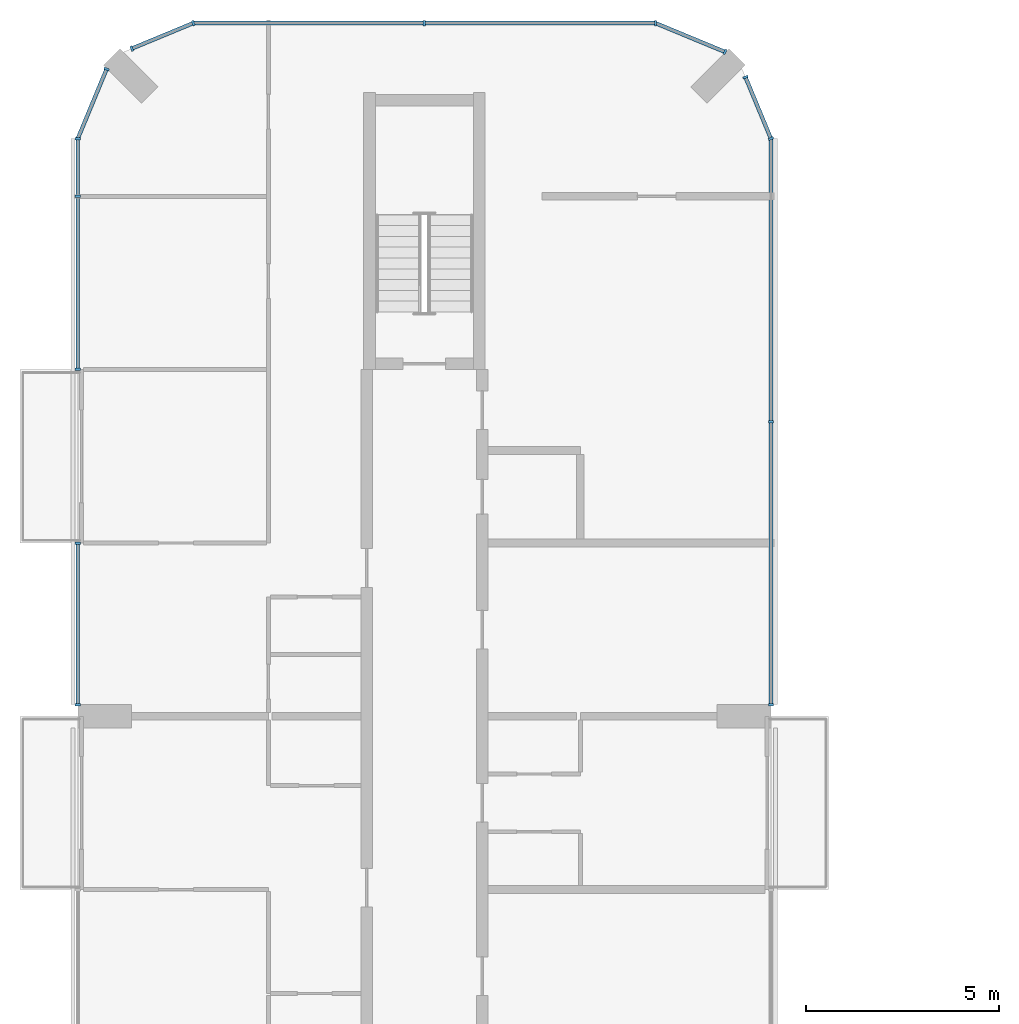
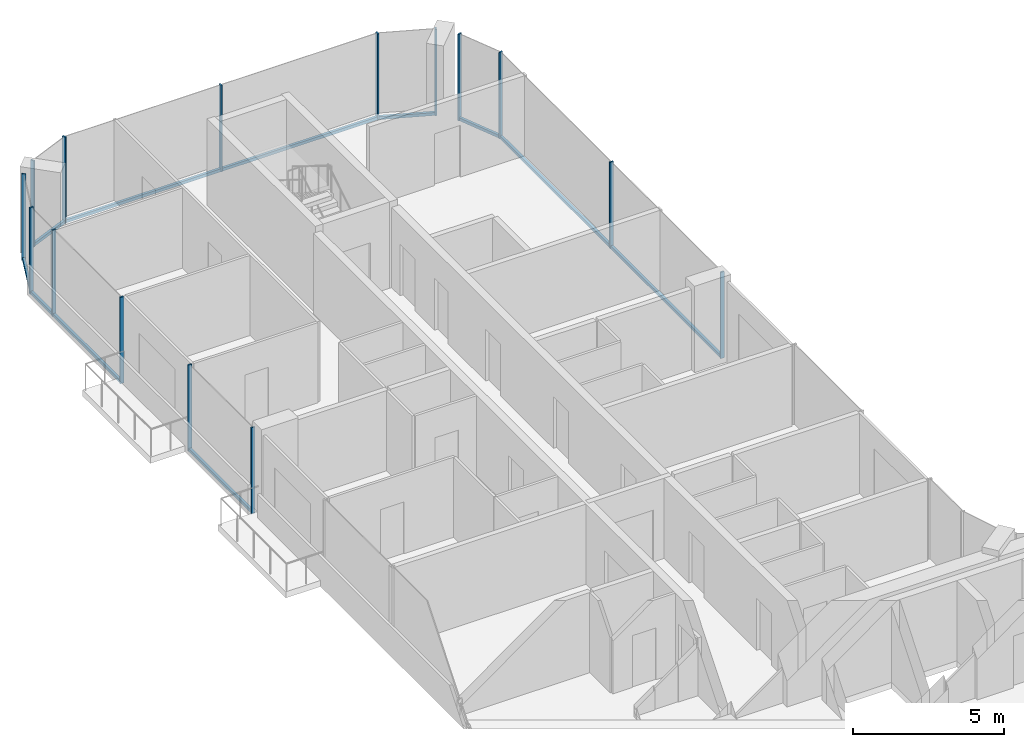
# One storey, part 7 of 15: 23 members, 8 elements without a shape of their own.
"""IFC4 building model written with IfcOpenShell, lengths in metres."""

from ifc_helpers import new_model, si_unit, direction, frame, origin, origin_2d, place, context, subcontext, project, spatial, rectangle, extrude, material, layer, layer_set, material_profile, profile_set, type_object, element, aggregate, save


model = new_model("IFC4")

# Units and contexts
model_context = context("Model", 3, precision=1e-05, world=origin(), true_north=direction((0.0, 1.0)))
body_context = subcontext(model_context, "Body", "Model", "MODEL_VIEW")
ifc_project = project(units=[si_unit("LENGTHUNIT", "METRE"), si_unit("AREAUNIT", "SQUARE_METRE"), si_unit("VOLUMEUNIT", "CUBIC_METRE"), si_unit("PLANEANGLEUNIT", "RADIAN"), si_unit("MASSUNIT", "GRAM", prefix="KILO")], contexts=[model_context])

# Site, building, storey
site_placement = place(None, origin())
site = spatial("IfcSite", under=ifc_project, at=site_placement, CompositionType="ELEMENT")
building_placement = place(site_placement, origin())
building = spatial("IfcBuilding", under=site, at=building_placement, Name="Plateau Cross Towers", CompositionType="ELEMENT")
storey_placement = place(building_placement, frame((0.0, 0.0, 170.89990234375)))
storey = spatial("IfcBuildingStorey", under=building, at=storey_placement, Name="L44", CompositionType="ELEMENT", Elevation=170.89990234375)

# Curtain wall, members
ifc_material_1 = material(Name="Dark low-iron glass", Category="glass")
ifc_layer = layer(ifc_material_1, 0.239990234375)
ifc_layer_set = layer_set([ifc_layer], Name="Dark low-iron glass")
curtain_wall_type = type_object("IfcCurtainWallType", Name="Curtain wall flush unitised CW-B", PredefinedType="NOTDEFINED", material=ifc_layer_set)
curtain_wall_1_placement = place(storey_placement, origin())
curtain_wall_1 = element("IfcCurtainWall", 1, at=curtain_wall_1_placement, inside=storey, type_object=curtain_wall_type, Name="ENV/A/L44/A180_363", PredefinedType="NOTDEFINED")
ifc_material_2 = material(Name="Black anodised aluminium", Category="aluminium")
ifc_material_profile_1 = material_profile(ifc_material_2, rectangle(XDim=0.06005859375, YDim=0.139892578125, at=origin_2d()), Name="MULLION 60x140")
ifc_profile_set_1 = profile_set([ifc_material_profile_1], Name="Black anodised aluminium")
member_type_1 = type_object("IfcMemberType", Name="Mullion 60x140 flush unitised", PredefinedType="MULLION", material=ifc_profile_set_1)
member_1_placement = place(storey_placement, frame((18.0, 36.300048828125, -0.25), z_axis=(0.0, 0.0, 1.0), x_axis=(0.0, 1.0, 0.0)))
member_1 = element("IfcMember", 2, at=member_1_placement, type_object=member_type_1, Name="CW-B mullion 1", PredefinedType="MULLION", context=body_context, shape_type="SweptSolid", body=[
    extrude(rectangle(XDim=0.06005859375, YDim=0.139892578125, at=origin_2d()), origin(), (0.0, 0.0, 1.0), 3.5),
])
member_2_placement = place(storey_placement, frame((18.0, 43.64990234375, -0.25), z_axis=(0.0, 0.0, 1.0), x_axis=(0.0, 1.0, 0.0)))
member_2 = element("IfcMember", 3, at=member_2_placement, type_object=member_type_1, Name="CW-B mullion 2", PredefinedType="MULLION", context=body_context, shape_type="SweptSolid", body=[
    extrude(rectangle(XDim=0.06005859375, YDim=0.139892578125, at=origin_2d()), origin(), (0.0, 0.0, 1.0), 3.5),
])

curtain_wall_2_placement = place(storey_placement, origin())
curtain_wall_2 = element("IfcCurtainWall", 4, at=curtain_wall_2_placement, inside=storey, type_object=curtain_wall_type, Name="ENV/A/L44/A180_510", PredefinedType="NOTDEFINED")
member_3_placement = place(storey_placement, frame((18.0, 51.0, -0.25), z_axis=(0.0, 0.0, 1.0), x_axis=(-0.382683612978, 0.923879457699, 0.0)))
member_3 = element("IfcMember", 5, at=member_3_placement, type_object=member_type_1, Name="CW-B mullion 1", PredefinedType="MULLION", context=body_context, shape_type="SweptSolid", body=[
    extrude(rectangle(XDim=0.06005859375, YDim=0.139892578125, at=origin_2d()), origin(), (0.0, 0.0, 1.0), 3.5),
])
member_4_placement = place(storey_placement, frame((17.338623046875, 52.5966796875, -0.25), z_axis=(0.0, 0.0, 1.0), x_axis=(-0.382683612978, 0.923879457699, 0.0)))
member_4 = element("IfcMember", 6, at=member_4_placement, type_object=member_type_1, Name="CW-B mullion 2", PredefinedType="MULLION", context=body_context, shape_type="SweptSolid", body=[
    extrude(rectangle(XDim=0.06005859375, YDim=0.139892578125, at=origin_2d()), origin(), (0.0, 0.0, 1.0), 3.5),
])

# Curtain wall, member
curtain_wall_3_placement = place(storey_placement, origin())
curtain_wall_3 = element("IfcCurtainWall", 7, at=curtain_wall_3_placement, inside=storey, type_object=curtain_wall_type, Name="ENV/A/L44/A168_533", PredefinedType="NOTDEFINED")
member_5_placement = place(storey_placement, frame((16.805908203125, 53.251953125, -0.25), z_axis=(0.0, 0.0, 1.0), x_axis=(-0.923879457699, 0.382683612978, 0.0)))
member_5 = element("IfcMember", 8, at=member_5_placement, type_object=member_type_1, Name="CW-B mullion 1", PredefinedType="MULLION", context=body_context, shape_type="SweptSolid", body=[
    extrude(rectangle(XDim=0.06005859375, YDim=0.139892578125, at=origin_2d()), origin(), (0.0, 0.0, 1.0), 3.5),
])

# Curtain wall, members
curtain_wall_4_placement = place(storey_placement, origin())
curtain_wall_4 = element("IfcCurtainWall", 9, at=curtain_wall_4_placement, inside=storey, type_object=curtain_wall_type, Name="ENV/A/L44/A150_540", PredefinedType="NOTDEFINED")
member_6_placement = place(storey_placement, frame((15.0, 54.0, -0.25), z_axis=(0.0, 0.0, 1.0), x_axis=(-1.0, 0.0, 0.0)))
member_6 = element("IfcMember", 10, at=member_6_placement, type_object=member_type_1, Name="CW-B mullion 1", PredefinedType="MULLION", context=body_context, shape_type="SweptSolid", body=[
    extrude(rectangle(XDim=0.06005859375, YDim=0.139892578125, at=origin_2d()), origin(), (0.0, 0.0, 1.0), 3.5),
])
member_7_placement = place(storey_placement, frame((9.0, 54.0, -0.25), z_axis=(0.0, 0.0, 1.0), x_axis=(-1.0, 0.0, 0.0)))
member_7 = element("IfcMember", 11, at=member_7_placement, type_object=member_type_1, Name="CW-B mullion 2", PredefinedType="MULLION", context=body_context, shape_type="SweptSolid", body=[
    extrude(rectangle(XDim=0.06005859375, YDim=0.139892578125, at=origin_2d()), origin(), (0.0, 0.0, 1.0), 3.5),
])

curtain_wall_5_placement = place(storey_placement, origin())
curtain_wall_5 = element("IfcCurtainWall", 12, at=curtain_wall_5_placement, inside=storey, type_object=curtain_wall_type, Name="ENV/A/L44/A30_540", PredefinedType="NOTDEFINED")
member_8_placement = place(storey_placement, frame((3.0, 54.0, -0.25), z_axis=(0.0, 0.0, 1.0), x_axis=(-0.923879457699, -0.382683612978, 0.0)))
member_8 = element("IfcMember", 13, at=member_8_placement, type_object=member_type_1, Name="CW-B mullion 1", PredefinedType="MULLION", context=body_context, shape_type="SweptSolid", body=[
    extrude(rectangle(XDim=0.06005859375, YDim=0.139892578125, at=origin_2d()), origin(), (0.0, 0.0, 1.0), 3.5),
])
member_9_placement = place(storey_placement, frame((1.4033203125, 53.338623046875, -0.25), z_axis=(0.0, 0.0, 1.0), x_axis=(-0.923879457699, -0.382683612978, 0.0)))
member_9 = element("IfcMember", 14, at=member_9_placement, type_object=member_type_1, Name="CW-B mullion 2", PredefinedType="MULLION", context=body_context, shape_type="SweptSolid", body=[
    extrude(rectangle(XDim=0.06005859375, YDim=0.139892578125, at=origin_2d()), origin(), (0.0, 0.0, 1.0), 3.5),
])

# Curtain wall, member
curtain_wall_6_placement = place(storey_placement, origin())
curtain_wall_6 = element("IfcCurtainWall", 15, at=curtain_wall_6_placement, inside=storey, type_object=curtain_wall_type, Name="ENV/A/L44/A7_528", PredefinedType="NOTDEFINED")
member_10_placement = place(storey_placement, frame((0.748046875, 52.805908203125, -0.25), z_axis=(0.0, 0.0, 1.0), x_axis=(-0.382683612978, -0.923879457699, 0.0)))
member_10 = element("IfcMember", 16, at=member_10_placement, type_object=member_type_1, Name="CW-B mullion 1", PredefinedType="MULLION", context=body_context, shape_type="SweptSolid", body=[
    extrude(rectangle(XDim=0.06005859375, YDim=0.139892578125, at=origin_2d()), origin(), (0.0, 0.0, 1.0), 3.5),
])

# Curtain wall, members
curtain_wall_7_placement = place(storey_placement, origin())
curtain_wall_7 = element("IfcCurtainWall", 17, at=curtain_wall_7_placement, inside=storey, type_object=curtain_wall_type, Name="ENV/A/L44/A0_510", PredefinedType="NOTDEFINED")
member_11_placement = place(storey_placement, frame((0.0, 51.0, -0.25), z_axis=(0.0, 0.0, 1.0), x_axis=(0.0, -1.0, 0.0)))
member_11 = element("IfcMember", 18, at=member_11_placement, type_object=member_type_1, Name="CW-B mullion 1", PredefinedType="MULLION", context=body_context, shape_type="SweptSolid", body=[
    extrude(rectangle(XDim=0.06005859375, YDim=0.139892578125, at=origin_2d()), origin(), (0.0, 0.0, 1.0), 3.5),
])
member_12_placement = place(storey_placement, frame((0.0, 49.5, -0.25), z_axis=(0.0, 0.0, 1.0), x_axis=(0.0, -1.0, 0.0)))
member_12 = element("IfcMember", 19, at=member_12_placement, type_object=member_type_1, Name="CW-B mullion 2", PredefinedType="MULLION", context=body_context, shape_type="SweptSolid", body=[
    extrude(rectangle(XDim=0.06005859375, YDim=0.139892578125, at=origin_2d()), origin(), (0.0, 0.0, 1.0), 3.5),
])
member_13_placement = place(storey_placement, frame((0.0, 45.010009765625, -0.25), z_axis=(0.0, 0.0, 1.0), x_axis=(0.0, -1.0, 0.0)))
member_13 = element("IfcMember", 20, at=member_13_placement, type_object=member_type_1, Name="CW-B mullion 3", PredefinedType="MULLION", context=body_context, shape_type="SweptSolid", body=[
    extrude(rectangle(XDim=0.06005859375, YDim=0.139892578125, at=origin_2d()), origin(), (0.0, 0.0, 1.0), 3.5),
])

curtain_wall_8_placement = place(storey_placement, origin())
curtain_wall_8 = element("IfcCurtainWall", 21, at=curtain_wall_8_placement, inside=storey, type_object=curtain_wall_type, Name="ENV/A/L44/A0_405", PredefinedType="NOTDEFINED")
member_14_placement = place(storey_placement, frame((0.0, 40.489990234375, -0.25), z_axis=(0.0, 0.0, 1.0), x_axis=(0.0, -1.0, 0.0)))
member_14 = element("IfcMember", 22, at=member_14_placement, type_object=member_type_1, Name="CW-B mullion 1", PredefinedType="MULLION", context=body_context, shape_type="SweptSolid", body=[
    extrude(rectangle(XDim=0.06005859375, YDim=0.139892578125, at=origin_2d()), origin(), (0.0, 0.0, 1.0), 3.5),
])
member_15_placement = place(storey_placement, frame((0.0, 36.300048828125, -0.25), z_axis=(0.0, 0.0, 1.0), x_axis=(0.0, -1.0, 0.0)))
member_15 = element("IfcMember", 23, at=member_15_placement, type_object=member_type_1, Name="CW-B mullion 2", PredefinedType="MULLION", context=body_context, shape_type="SweptSolid", body=[
    extrude(rectangle(XDim=0.06005859375, YDim=0.139892578125, at=origin_2d()), origin(), (0.0, 0.0, 1.0), 3.5),
])

# Member
ifc_material_profile_2 = material_profile(ifc_material_2, rectangle(XDim=0.10009765625, YDim=0.1201171875, at=origin_2d()), Name="TRANSOM 100x120")
ifc_profile_set_2 = profile_set([ifc_material_profile_2], Name="Black anodised aluminium")
member_type_2 = type_object("IfcMemberType", Name="Transom 100x120 flush unitised", PredefinedType="USERDEFINED", material=ifc_profile_set_2)
member_16_placement = place(storey_placement, frame((18.0, 36.300048828125, -0.18994140625), z_axis=(0.0, 1.0, 0.0), x_axis=(-1.0, 0.0, 0.0)))
member_16 = element("IfcMember", 24, at=member_16_placement, type_object=member_type_2, Name="CW-B transom", ObjectType="TRANSOM", PredefinedType="USERDEFINED", context=body_context, shape_type="SweptSolid", body=[
    extrude(rectangle(XDim=0.10009765625, YDim=0.1201171875, at=origin_2d()), origin(), (0.0, 0.0, 1.0), 14.699951171875),
])

aggregate(curtain_wall_1, [member_1, member_2, member_16])

member_17_placement = place(storey_placement, frame((18.0, 51.0, -0.18994140625), z_axis=(-0.382688653628, 0.923877369776, 0.0), x_axis=(-0.923877369776, -0.382688653628, 0.0)))
member_17 = element("IfcMember", 25, at=member_17_placement, type_object=member_type_2, Name="CW-B transom", ObjectType="TRANSOM", PredefinedType="USERDEFINED", context=body_context, shape_type="SweptSolid", body=[
    extrude(rectangle(XDim=0.10009765625, YDim=0.1201171875, at=origin_2d()), origin(), (0.0, 0.0, 1.0), 1.728271484375),
])

aggregate(curtain_wall_2, [member_3, member_4, member_17])

member_18_placement = place(storey_placement, frame((16.805908203125, 53.251953125, -0.18994140625), z_axis=(-0.92387678234, 0.382690071798, 0.0), x_axis=(-0.382690071798, -0.92387678234, 0.0)))
member_18 = element("IfcMember", 26, at=member_18_placement, type_object=member_type_2, Name="CW-B transom", ObjectType="TRANSOM", PredefinedType="USERDEFINED", context=body_context, shape_type="SweptSolid", body=[
    extrude(rectangle(XDim=0.10009765625, YDim=0.1201171875, at=origin_2d()), origin(), (0.0, 0.0, 1.0), 1.95458984375),
])

aggregate(curtain_wall_3, [member_5, member_18])

member_19_placement = place(storey_placement, frame((15.0, 54.0, -0.18994140625), z_axis=(-1.0, 0.0, 0.0), x_axis=(0.0, -1.0, 0.0)))
member_19 = element("IfcMember", 27, at=member_19_placement, type_object=member_type_2, Name="CW-B transom", ObjectType="TRANSOM", PredefinedType="USERDEFINED", context=body_context, shape_type="SweptSolid", body=[
    extrude(rectangle(XDim=0.10009765625, YDim=0.1201171875, at=origin_2d()), origin(), (0.0, 0.0, 1.0), 12.0),
])

aggregate(curtain_wall_4, [member_6, member_7, member_19])

member_20_placement = place(storey_placement, frame((3.0, 54.0, -0.18994140625), z_axis=(-0.923877369776, -0.382688653628, 0.0), x_axis=(0.382688653628, -0.923877369776, 0.0)))
member_20 = element("IfcMember", 28, at=member_20_placement, type_object=member_type_2, Name="CW-B transom", ObjectType="TRANSOM", PredefinedType="USERDEFINED", context=body_context, shape_type="SweptSolid", body=[
    extrude(rectangle(XDim=0.10009765625, YDim=0.1201171875, at=origin_2d()), origin(), (0.0, 0.0, 1.0), 1.728271484375),
])

aggregate(curtain_wall_5, [member_8, member_9, member_20])

member_21_placement = place(storey_placement, frame((0.748046875, 52.805908203125, -0.18994140625), z_axis=(-0.382690071798, -0.92387678234, 0.0), x_axis=(0.92387678234, -0.382690071798, 0.0)))
member_21 = element("IfcMember", 29, at=member_21_placement, type_object=member_type_2, Name="CW-B transom", ObjectType="TRANSOM", PredefinedType="USERDEFINED", context=body_context, shape_type="SweptSolid", body=[
    extrude(rectangle(XDim=0.10009765625, YDim=0.1201171875, at=origin_2d()), origin(), (0.0, 0.0, 1.0), 1.95458984375),
])

aggregate(curtain_wall_6, [member_10, member_21])

member_22_placement = place(storey_placement, frame((0.0, 51.0, -0.18994140625), z_axis=(0.0, -1.0, 0.0), x_axis=(1.0, 0.0, 0.0)))
member_22 = element("IfcMember", 30, at=member_22_placement, type_object=member_type_2, Name="CW-B transom", ObjectType="TRANSOM", PredefinedType="USERDEFINED", context=body_context, shape_type="SweptSolid", body=[
    extrude(rectangle(XDim=0.10009765625, YDim=0.1201171875, at=origin_2d()), origin(), (0.0, 0.0, 1.0), 5.989990234375),
])

aggregate(curtain_wall_7, [member_11, member_12, member_13, member_22])

member_23_placement = place(storey_placement, frame((0.0, 40.489990234375, -0.18994140625), z_axis=(0.0, -1.0, 0.0), x_axis=(1.0, 0.0, 0.0)))
member_23 = element("IfcMember", 31, at=member_23_placement, type_object=member_type_2, Name="CW-B transom", ObjectType="TRANSOM", PredefinedType="USERDEFINED", context=body_context, shape_type="SweptSolid", body=[
    extrude(rectangle(XDim=0.10009765625, YDim=0.1201171875, at=origin_2d()), origin(), (0.0, 0.0, 1.0), 4.18994140625),
])

aggregate(curtain_wall_8, [member_14, member_15, member_23])

save(model, "model.ifc")
